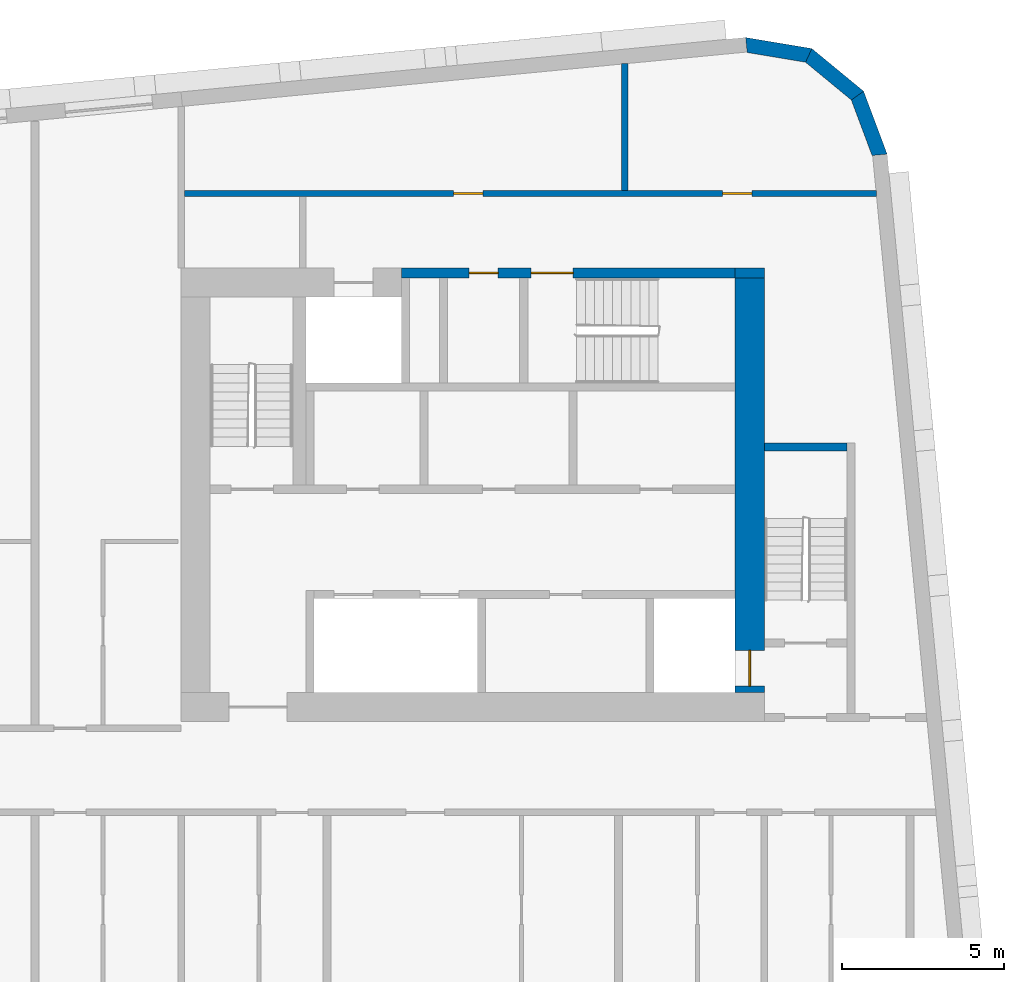
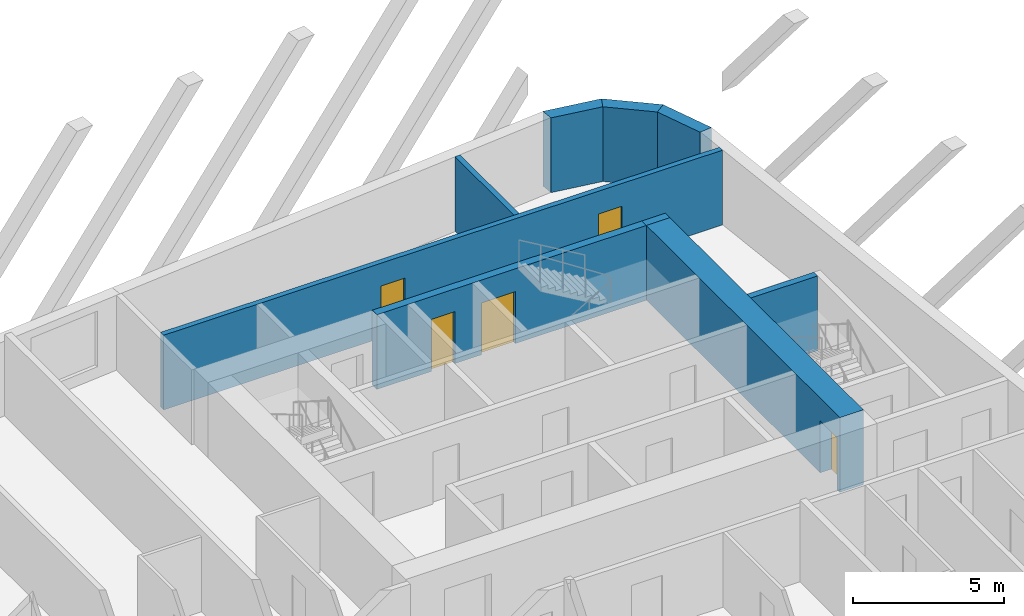
# One storey, part 8 of 13: 9 walls, 5 doors, 5 openings.
"""IFC4 building model written with IfcOpenShell, lengths in metres."""

from ifc_helpers import new_model, si_unit, direction, frame, frame_2d, origin, place, context, subcontext, project, spatial, polyline, rectangle, outline, extrude, material, layer, layer_set, type_object, element, fill, save


model = new_model("IFC4")

# Units and contexts
model_context = context("Model", 3, precision=1e-05, world=origin(), true_north=direction((0.0, 1.0)))
body_context = subcontext(model_context, "Body", "Model", "MODEL_VIEW")
ifc_project = project(units=[si_unit("LENGTHUNIT", "METRE"), si_unit("AREAUNIT", "SQUARE_METRE"), si_unit("VOLUMEUNIT", "CUBIC_METRE"), si_unit("PLANEANGLEUNIT", "RADIAN"), si_unit("MASSUNIT", "GRAM", prefix="KILO")], contexts=[model_context])

# Site, building, storey
site_placement = place(None, origin())
site = spatial("IfcSite", under=ifc_project, at=site_placement, CompositionType="ELEMENT")
building_placement = place(site_placement, origin())
building = spatial("IfcBuilding", under=site, at=building_placement, Name="Kajstack Hotel Tower", CompositionType="ELEMENT")
storey_placement = place(building_placement, frame((0.0, 0.0, 298.199951171875)))
storey = spatial("IfcBuildingStorey", under=building, at=storey_placement, Name="L75", CompositionType="ELEMENT", Elevation=298.199951171875)

# Wall
ifc_material_1 = material(Name="Concrete C60/75", Category="concrete")
ifc_layer_1 = layer(ifc_material_1, 0.89990234375)
ifc_layer_set_1 = layer_set([ifc_layer_1], Name="Core wall 900")
wall_type_1 = type_object("IfcWallType", Name="Core wall 900", PredefinedType="SHEAR", material=ifc_layer_set_1)
wall_1_placement = place(storey_placement, frame((30.60009765625, 15.35009765625, 0.0), z_axis=(0.0, 0.0, 1.0), x_axis=(1.0, 0.0, 0.0)))
element("IfcWall", 1, at=wall_1_placement, inside=storey, type_object=wall_type_1, Name="Core wall E RSW", PredefinedType="SHEAR", context=body_context, shape_type="SweptSolid", body=[
    extrude(rectangle(XDim=0.89990234375, YDim=0.300048828125, at=frame_2d((0.449951171875, 0.0))), origin(), (0.0, 0.0, 1.0), 3.02001953125),
])

# Wall, opening, door
wall_2_placement = place(storey_placement, frame((31.050048828125, 2.39990234375, 0.0), z_axis=(0.0, 0.0, 1.0), x_axis=(0.0, 1.0, 0.0)))
wall_2 = element("IfcWall", 2, at=wall_2_placement, inside=storey, type_object=wall_type_1, Name="Core wall E RW", PredefinedType="SHEAR", context=body_context, shape_type="SweptSolid", body=[
    extrude(rectangle(XDim=12.800048828125, YDim=0.89990234375, at=frame_2d((6.39990234375, 0.0))), origin(), (0.0, 0.0, 1.0), 3.02001953125),
])
opening_1_placement = place(wall_2_placement, frame((0.199951171875, 0.0, 0.0)))
opening_1 = element("IfcOpeningElement", 3, at=opening_1_placement, cuts=wall_2, Name="Opening LD-FF2", PredefinedType="OPENING", context=body_context, shape_type="SweptSolid", body=[
    extrude(rectangle(XDim=1.10009765625, YDim=2.10009765625, at=frame_2d((0.550048828125, 1.050048828125))), frame((0.0, 0.4599609375, 0.0), z_axis=(0.0, -1.0, 0.0), x_axis=(1.0, 0.0, 0.0)), (0.0, 0.0, 1.0), 0.919921875),
])
ifc_material_2 = material(Name="Stainless steel", Category="steel")
door_type_1 = type_object("IfcDoorType", Name="Fire-fighting lift landing door 1100", OperationType="SLIDING_TO_LEFT", PredefinedType="DOOR", material=ifc_material_2)
door_1_placement = place(opening_1_placement, origin())
door_1 = element("IfcDoor", 4, at=door_1_placement, inside=storey, type_object=door_type_1, Name="Landing door FF2", OperationType="SLIDING_TO_LEFT", OverallHeight=2.10009765625, OverallWidth=1.10009765625, PredefinedType="DOOR", context=body_context, shape_type="SweptSolid", body=[
    extrude(rectangle(XDim=1.10009765625, YDim=2.10009765625, at=frame_2d((0.550048828125, 1.050048828125))), frame((0.0, 0.02490234375, 0.0), z_axis=(0.0, -1.0, 0.0), x_axis=(1.0, 0.0, 0.0)), (0.0, 0.0, 1.0), 0.050048828125),
])
fill(opening_1, door_1)

# Walls
ifc_material_3 = material(Name="Terracotta-faced brick masonry", Category="masonry")
ifc_layer_2 = layer(ifc_material_3, 0.449951171875)
ifc_layer_set_2 = layer_set([ifc_layer_2], Name="EW-TERRA")
wall_type_2 = type_object("IfcWallType", Name="EW-TERRA", PredefinedType="SOLIDWALL", material=ifc_layer_set_2)
wall_3_placement = place(storey_placement, frame((35.078369140625, 18.9375, 0.0), z_axis=(0.0, 0.0, 1.0), x_axis=(-0.350192909346, 0.936677599948, 0.0)))
element("IfcWall", 5, at=wall_3_placement, inside=storey, type_object=wall_type_2, Name="E-wall-L75-09-00", PredefinedType="SOLIDWALL", context=body_context, shape_type="SweptSolid", body=[
    extrude(outline(polyline([(0.0, -0.22509765625), (2.070556640625, -0.22509765625), (1.949951171875, 0.224853515625), (0.12060546875, 0.224853515625), (0.0, -0.22509765625)])), origin(), (0.0, 0.0, 1.0), 3.02001953125),
])
wall_4_placement = place(storey_placement, frame((34.4208984375, 20.7822265625, 0.0), z_axis=(0.0, 0.0, 1.0), x_axis=(-0.771593176315, 0.636116318187, 0.0)))
element("IfcWall", 6, at=wall_4_placement, inside=storey, type_object=wall_type_2, Name="E-wall-L75-10-00", PredefinedType="SOLIDWALL", context=body_context, shape_type="SweptSolid", body=[
    extrude(outline(polyline([(0.0, -0.22509765625), (2.070556640625, -0.224853515625), (1.949951171875, 0.22509765625), (0.120361328125, 0.22509765625), (0.0, -0.22509765625)])), origin(), (0.0, 0.0, 1.0), 3.02001953125),
])
wall_5_placement = place(storey_placement, frame((32.92919921875, 22.051025390625, 0.0), z_axis=(0.0, 0.0, 1.0), x_axis=(-0.986298144721, 0.164972633245, 0.0)))
element("IfcWall", 7, at=wall_5_placement, inside=storey, type_object=wall_type_2, Name="E-wall-L75-11-00", PredefinedType="SOLIDWALL", context=body_context, shape_type="SweptSolid", body=[
    extrude(outline(polyline([(0.0, -0.224853515625), (2.0703125, -0.22509765625), (1.949951171875, 0.224853515625), (0.12060546875, 0.22509765625), (0.0, -0.224853515625)])), origin(), (0.0, 0.0, 1.0), 3.02001953125),
])

# Wall, openings, doors
ifc_material_4 = material(Name="Gypsum board on steel studs, mineral wool", Category="steel")
ifc_layer_3 = layer(ifc_material_4, 0.199951171875)
ifc_layer_set_3 = layer_set([ifc_layer_3], Name="Service partition 200")
wall_type_3 = type_object("IfcWallType", Name="Service partition 200", PredefinedType="PARTITIONING", material=ifc_layer_set_3)
wall_6_placement = place(storey_placement, frame((13.60009765625, 17.800048828125, 0.0), z_axis=(0.0, 0.0, 1.0), x_axis=(1.0, 0.0, 0.0)))
wall_6 = element("IfcWall", 8, at=wall_6_placement, inside=storey, type_object=wall_type_3, Name="Partition E SLN", PredefinedType="PARTITIONING", context=body_context, shape_type="SweptSolid", body=[
    extrude(rectangle(XDim=21.35400390625, YDim=0.199951171875, at=frame_2d((10.677001953125, 0.0))), origin(), (0.0, 0.0, 1.0), 3.02001953125),
])
opening_2_placement = place(wall_6_placement, frame((16.612548828125, 0.0, 0.0)))
opening_2 = element("IfcOpeningElement", 9, at=opening_2_placement, cuts=wall_6, Name="Opening 75E16", PredefinedType="OPENING", context=body_context, shape_type="SweptSolid", body=[
    extrude(rectangle(XDim=0.89990234375, YDim=2.10009765625, at=frame_2d((0.449951171875, 1.050048828125))), frame((0.0, 0.10986328125, 0.0), z_axis=(0.0, -1.0, 0.0), x_axis=(1.0, 0.0, 0.0)), (0.0, 0.0, 1.0), 0.219970703125),
])
opening_3_placement = place(wall_6_placement, frame((8.3125, 0.0, 0.0)))
opening_3 = element("IfcOpeningElement", 10, at=opening_3_placement, cuts=wall_6, Name="Opening 75E17", PredefinedType="OPENING", context=body_context, shape_type="SweptSolid", body=[
    extrude(rectangle(XDim=0.89990234375, YDim=2.10009765625, at=frame_2d((0.449951171875, 1.050048828125))), frame((0.0, 0.10986328125, 0.0), z_axis=(0.0, -1.0, 0.0), x_axis=(1.0, 0.0, 0.0)), (0.0, 0.0, 1.0), 0.219970703125),
])
ifc_material_5 = material(Name="Timber leaf, fire-rated", Category="wood")
door_type_2 = type_object("IfcDoorType", Name="Service door 900", OperationType="SINGLE_SWING_LEFT", PredefinedType="DOOR", material=ifc_material_5)
door_2_placement = place(opening_2_placement, origin())
door_2 = element("IfcDoor", 11, at=door_2_placement, inside=storey, type_object=door_type_2, Name="Door 75E16", OperationType="SINGLE_SWING_LEFT", OverallHeight=2.10009765625, OverallWidth=0.89990234375, PredefinedType="DOOR", context=body_context, shape_type="SweptSolid", body=[
    extrude(rectangle(XDim=0.89990234375, YDim=2.10009765625, at=frame_2d((0.449951171875, 1.050048828125))), frame((0.0, 0.02490234375, 0.0), z_axis=(0.0, -1.0, 0.0), x_axis=(1.0, 0.0, 0.0)), (0.0, 0.0, 1.0), 0.050048828125),
])
fill(opening_2, door_2)
door_3_placement = place(opening_3_placement, origin())
door_3 = element("IfcDoor", 12, at=door_3_placement, inside=storey, type_object=door_type_2, Name="Door 75E17", OperationType="SINGLE_SWING_LEFT", OverallHeight=2.10009765625, OverallWidth=0.89990234375, PredefinedType="DOOR", context=body_context, shape_type="SweptSolid", body=[
    extrude(rectangle(XDim=0.89990234375, YDim=2.10009765625, at=frame_2d((0.449951171875, 1.050048828125))), frame((0.0, 0.02490234375, 0.0), z_axis=(0.0, -1.0, 0.0), x_axis=(1.0, 0.0, 0.0)), (0.0, 0.0, 1.0), 0.050048828125),
])
fill(opening_3, door_3)

# Wall
wall_7_placement = place(storey_placement, frame((27.199951171875, 17.89990234375, 0.0), z_axis=(0.0, 0.0, 1.0), x_axis=(0.0, 1.0, 0.0)))
element("IfcWall", 13, at=wall_7_placement, inside=storey, type_object=wall_type_3, Name="Partition E SLP0", PredefinedType="PARTITIONING", context=body_context, shape_type="SweptSolid", body=[
    extrude(rectangle(XDim=3.905029296875, YDim=0.199951171875, at=frame_2d((1.95263671875, 0.0))), origin(), (0.0, 0.0, 1.0), 3.02001953125),
])

# Wall, openings, doors
ifc_material_6 = material(Name="Concrete C50/60", Category="concrete")
ifc_layer_4 = layer(ifc_material_6, 0.25)
ifc_layer_set_4 = layer_set([ifc_layer_4], Name="Shaft wall 250")
wall_type_4 = type_object("IfcWallType", Name="Shaft wall 250", PredefinedType="SHEAR", material=ifc_layer_set_4)
wall_8_placement = place(storey_placement, frame((20.300048828125, 15.35009765625, 0.0), z_axis=(0.0, 0.0, 1.0), x_axis=(1.0, 0.0, 0.0)))
wall_8 = element("IfcWall", 14, at=wall_8_placement, inside=storey, type_object=wall_type_4, Name="Core wall E RSS", PredefinedType="SHEAR", context=body_context, shape_type="SweptSolid", body=[
    extrude(rectangle(XDim=10.300048828125, YDim=0.300048828125, at=frame_2d((5.14990234375, 0.0))), origin(), (0.0, 0.0, 1.0), 3.02001953125),
])
opening_4_placement = place(wall_8_placement, frame((4.0, 0.0, 0.0)))
opening_4 = element("IfcOpeningElement", 15, at=opening_4_placement, cuts=wall_8, Name="Opening 75E10", PredefinedType="OPENING", context=body_context, shape_type="SweptSolid", body=[
    extrude(rectangle(XDim=1.300048828125, YDim=2.10009765625, at=frame_2d((0.64990234375, 1.050048828125))), frame((0.0, 0.159912109375, 0.0), z_axis=(0.0, -1.0, 0.0), x_axis=(1.0, 0.0, 0.0)), (0.0, 0.0, 1.0), 0.320068359375),
])
opening_5_placement = place(wall_8_placement, frame((2.08740234375, 0.0, 0.0)))
opening_5 = element("IfcOpeningElement", 16, at=opening_5_placement, cuts=wall_8, Name="Opening 75E11", PredefinedType="OPENING", context=body_context, shape_type="SweptSolid", body=[
    extrude(rectangle(XDim=0.89990234375, YDim=2.10009765625, at=frame_2d((0.449951171875, 1.050048828125))), frame((0.0, 0.159912109375, 0.0), z_axis=(0.0, -1.0, 0.0), x_axis=(1.0, 0.0, 0.0)), (0.0, 0.0, 1.0), 0.320068359375),
])
door_4_placement = place(opening_5_placement, origin())
door_4 = element("IfcDoor", 17, at=door_4_placement, inside=storey, type_object=door_type_2, Name="Door 75E11", OperationType="SINGLE_SWING_RIGHT", OverallHeight=2.10009765625, OverallWidth=0.89990234375, PredefinedType="DOOR", context=body_context, shape_type="SweptSolid", body=[
    extrude(rectangle(XDim=0.89990234375, YDim=2.10009765625, at=frame_2d((0.449951171875, 1.050048828125))), frame((0.0, 0.02490234375, 0.0), z_axis=(0.0, -1.0, 0.0), x_axis=(1.0, 0.0, 0.0)), (0.0, 0.0, 1.0), 0.050048828125),
])
fill(opening_5, door_4)
ifc_material_7 = material(Name="Steel leaf, fire-rated", Category="steel")
door_type_3 = type_object("IfcDoorType", Name="Stair door 1300", OperationType="SINGLE_SWING_LEFT", PredefinedType="DOOR", material=ifc_material_7)
door_5_placement = place(opening_4_placement, origin())
door_5 = element("IfcDoor", 18, at=door_5_placement, inside=storey, type_object=door_type_3, Name="Door 75E10", OperationType="SINGLE_SWING_LEFT", OverallHeight=2.10009765625, OverallWidth=1.300048828125, PredefinedType="DOOR", context=body_context, shape_type="SweptSolid", body=[
    extrude(rectangle(XDim=1.300048828125, YDim=2.10009765625, at=frame_2d((0.64990234375, 1.050048828125))), frame((0.0, 0.02490234375, 0.0), z_axis=(0.0, -1.0, 0.0), x_axis=(1.0, 0.0, 0.0)), (0.0, 0.0, 1.0), 0.050048828125),
])
fill(opening_4, door_5)

# Wall
ifc_material_8 = material(Name="Concrete C40/50", Category="concrete")
ifc_layer_5 = layer(ifc_material_8, 0.25)
ifc_layer_set_5 = layer_set([ifc_layer_5], Name="Stair enclosure wall 250")
wall_type_5 = type_object("IfcWallType", Name="Stair enclosure wall 250", PredefinedType="SHEAR", material=ifc_layer_set_5)
wall_9_placement = place(storey_placement, frame((31.5, 9.97509765625, 0.0), z_axis=(0.0, 0.0, 1.0), x_axis=(1.0, 0.0, 0.0)))
element("IfcWall", 19, at=wall_9_placement, inside=storey, type_object=wall_type_5, Name="Core wall E W1S", PredefinedType="SHEAR", context=body_context, shape_type="SweptSolid", body=[
    extrude(rectangle(XDim=2.550048828125, YDim=0.25, at=frame_2d((1.27490234375, 0.0))), origin(), (0.0, 0.0, 1.0), 3.02001953125),
])

save(model, "model.ifc")
